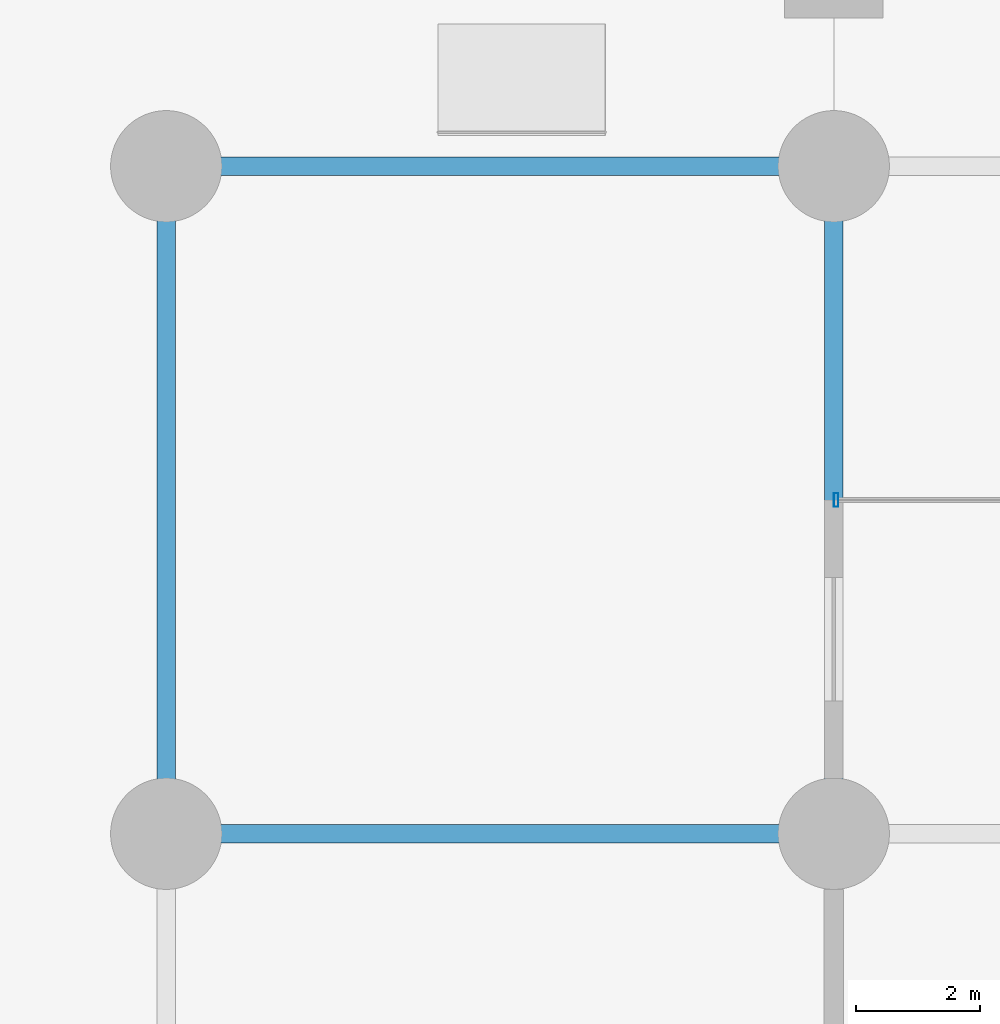
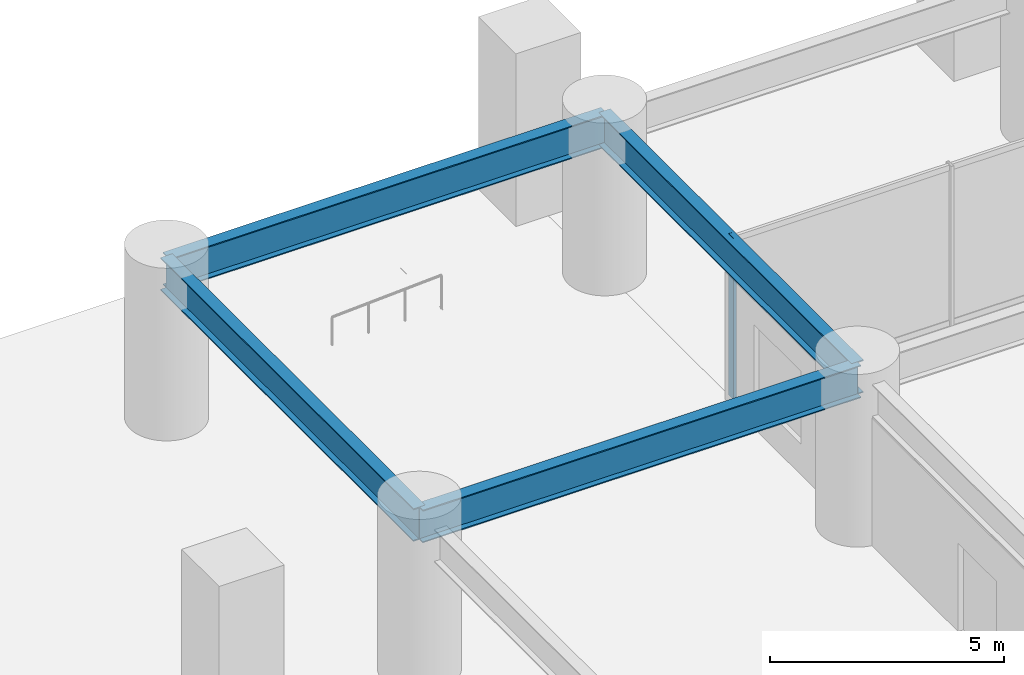
# One storey, part 13 of 29: 4 beams, 1 member, 1 element without a shape of its own.
"""IFC4 building model written with IfcOpenShell, lengths in metres."""

import ifcopenshell
import ifcopenshell.guid

model = None  # the IFC model being written
_history = None  # IfcOwnerHistory: only IFC2X3 demands one
_inside = {}  # id of a spatial element -> (the spatial element, [elements in it])
_under = {}  # id of a project, library or spatial element -> (it, [spatial elements below it])
_declared = {}  # id of a project -> (the project, [libraries it declares])
_typed = {}  # id of a type object -> (the type object, [elements of that type])
_made_of = {}  # id of a material, layer set ... -> (it, [elements and type objects made of it])


def new_model(schema):
    """Start an empty IFC model of exactly this schema.

    Asked for "IFC4X3", IfcOpenShell would pick the latest addendum, in which some entities
    have other attributes; the version numbers below select the first issue.
    IFC2X3 requires an IfcOwnerHistory on every rooted entity: one is made here for all.
    """
    global model, _history
    if schema == "IFC4X3":
        model = ifcopenshell.file(schema_version=(4, 3, 0, 0))
    else:
        model = ifcopenshell.file(schema=schema)
    _inside.clear()
    _under.clear()
    _declared.clear()
    _typed.clear()
    _made_of.clear()
    _history = None
    if model.schema == "IFC2X3":
        org = make("IfcOrganization", Name="unknown")
        user = make(
            "IfcPersonAndOrganization",
            ThePerson=make("IfcPerson", FamilyName="unknown"),
            TheOrganization=org,
        )
        app = make(
            "IfcApplication",
            ApplicationDeveloper=org,
            Version="unknown",
            ApplicationFullName="unknown",
            ApplicationIdentifier="unknown",
        )
        _history = make(
            "IfcOwnerHistory",
            OwningUser=user,
            OwningApplication=app,
            ChangeAction="ADDED",
            CreationDate=0,
        )
    return model


def make(cls, **values):
    """One entity of the class cls with the attributes given. An attribute that is None is left unset."""
    return model.create_entity(
        cls, **{name: value for name, value in values.items() if value is not None}
    )


def rooted(cls, **values):
    """An entity with a GlobalId (a new one), such as an element, a storey or a relation."""
    return make(cls, GlobalId=ifcopenshell.guid.new(), OwnerHistory=_history, **values)


def si_unit(unit_type, name, prefix=None):
    """IfcSIUnit, for example si_unit("LENGTHUNIT", "METRE", prefix="MILLI")."""
    return make("IfcSIUnit", UnitType=unit_type, Prefix=prefix, Name=name)


def assignment(units):
    """IfcUnitAssignment: the units of a project."""
    return None if units is None else make("IfcUnitAssignment", Units=units)


def point(xyz):
    """IfcCartesianPoint."""
    return None if xyz is None else make("IfcCartesianPoint", Coordinates=xyz)


def direction(xyz):
    """IfcDirection."""
    return None if xyz is None else make("IfcDirection", DirectionRatios=xyz)


def frame(location, z_axis=None, x_axis=None):
    """IfcAxis2Placement3D, a coordinate frame: its origin and axes. An axis left out is left unset."""
    return make(
        "IfcAxis2Placement3D",
        Location=point(location),
        Axis=direction(z_axis),
        RefDirection=direction(x_axis),
    )


def frame_2d(location, x_axis=None):
    """IfcAxis2Placement2D, a coordinate frame in the plane: its origin and x axis."""
    return make(
        "IfcAxis2Placement2D", Location=point(location), RefDirection=direction(x_axis)
    )


def origin():
    """The frame at (0, 0, 0) with its axes left unset."""
    return frame((0.0, 0.0, 0.0))


def origin_2d():
    """The frame at (0, 0) in the plane with its x axis left unset."""
    return frame_2d((0.0, 0.0))


def place(relative_to, where):
    """IfcLocalPlacement: puts the frame where relative to a parent placement (None: the world)."""
    return make(
        "IfcLocalPlacement", PlacementRelTo=relative_to, RelativePlacement=where
    )


def context(
    kind, dimensions, precision=None, world=None, true_north=None, identifier=None
):
    """IfcGeometricRepresentationContext, for example the 3D "Model" context."""
    return make(
        "IfcGeometricRepresentationContext",
        ContextIdentifier=identifier,
        ContextType=kind,
        CoordinateSpaceDimension=dimensions,
        Precision=precision,
        WorldCoordinateSystem=world,
        TrueNorth=true_north,
    )


def subcontext(parent, identifier, kind, view, scale=None):
    """IfcGeometricRepresentationSubContext, for example "Body" below "Model"."""
    return make(
        "IfcGeometricRepresentationSubContext",
        ContextIdentifier=identifier,
        ContextType=kind,
        ParentContext=parent,
        TargetScale=scale,
        TargetView=view,
    )


def project(units=None, contexts=None):
    """IfcProject with its units and contexts."""
    return rooted(
        "IfcProject",
        Name="project",
        RepresentationContexts=contexts,
        UnitsInContext=assignment(units),
    )


def spatial(cls, under=None, at=None, **own):
    """A site, building, storey or space (cls), placed at a placement, below another one or the project."""
    s = rooted(cls, ObjectPlacement=at, **own)
    if under is not None:
        _under.setdefault(under.id(), (under, []))[1].append(s)
    return s


def profile(cls, at=None, kind="AREA", **sizes):
    """A parametric profile (cls). Its sizes go by their IFC names, for example OverallWidth=200.0."""
    return make(cls, ProfileType=kind, Position=at, **sizes)


def hollow_rectangle(**sizes):
    """IfcRectangleHollowProfileDef."""
    return profile("IfcRectangleHollowProfileDef", **sizes)


def i_section(**sizes):
    """IfcIShapeProfileDef."""
    return profile("IfcIShapeProfileDef", **sizes)


def extrude(swept, where, along, depth):
    """IfcExtrudedAreaSolid: the profile swept, set in the frame where, extruded along a direction by depth."""
    return make(
        "IfcExtrudedAreaSolid",
        SweptArea=swept,
        Position=where,
        ExtrudedDirection=direction(along),
        Depth=depth,
    )


def shape(context_of_items, identifier, shape_type, items):
    """IfcShapeRepresentation: the items that make up one representation, for example the "Body"."""
    return make(
        "IfcShapeRepresentation",
        ContextOfItems=context_of_items,
        RepresentationIdentifier=identifier,
        RepresentationType=shape_type,
        Items=items,
    )


def material(Name=None, Category=None):
    """IfcMaterial."""
    return make("IfcMaterial", Name=Name, Category=Category)


def layer(
    of_material, thickness, ventilated=None, Name=None, Category=None, Priority=None
):
    """IfcMaterialLayer: one layer of a wall or slab, of a material (None: an air gap)."""
    return make(
        "IfcMaterialLayer",
        Material=of_material,
        LayerThickness=thickness,
        IsVentilated=ventilated,
        Name=Name,
        Category=Category,
        Priority=Priority,
    )


def layer_set(layers, Name=None):
    """IfcMaterialLayerSet."""
    return make("IfcMaterialLayerSet", MaterialLayers=layers, LayerSetName=Name)


def material_profile(
    of_material, cross_section, Name=None, Category=None, Priority=None
):
    """IfcMaterialProfile: a cross section and its material."""
    return make(
        "IfcMaterialProfile",
        Name=Name,
        Material=of_material,
        Profile=cross_section,
        Priority=Priority,
        Category=Category,
    )


def profile_set(profiles, Name=None, composite=None):
    """IfcMaterialProfileSet."""
    return make(
        "IfcMaterialProfileSet",
        Name=Name,
        MaterialProfiles=profiles,
        CompositeProfile=composite,
    )


def made_of(thing, what):
    """Note that an element or type object is made of a material, layer set ...; save() writes the relation."""
    if what is not None:
        _made_of.setdefault(what.id(), (what, []))[1].append(thing)
    return thing


def type_object(cls, material=None, **own):
    """A type object (cls), such as IfcWallType, which elements share."""
    return made_of(rooted(cls, **own), material)


def element(
    cls,
    number,
    at=None,
    inside=None,
    cuts=None,
    type_object=None,
    material=None,
    context=None,
    identifier="Body",
    shape_type=None,
    held_by="IfcProductDefinitionShape",
    body=None,
    shapes=None,
    **own,
):
    """One element of the class cls, such as IfcWall. Its Tag is "e" and its number.

    at: its placement. inside: the storey or other place that contains it. cuts: it is an
    opening in that element (IfcRelVoidsElement). A single representation is given by context,
    identifier, shape_type and body (its items); several are given by shapes. held_by: the class
    of the entity that holds the representations. save() writes the other relations.
    """
    e = rooted(cls, Tag="e%d" % number, ObjectPlacement=at, **own)
    if body is not None:
        shapes = [shape(context, identifier, shape_type, body)]
    if shapes is not None:
        e.Representation = make(held_by, Representations=shapes)
    if inside is not None:
        _inside.setdefault(inside.id(), (inside, []))[1].append(e)
    if cuts is not None:
        rooted(
            "IfcRelVoidsElement", RelatingBuildingElement=cuts, RelatedOpeningElement=e
        )
    if type_object is not None:
        _typed.setdefault(type_object.id(), (type_object, []))[1].append(e)
    return made_of(e, material)


def aggregate(whole, parts):
    """IfcRelAggregates: a whole, such as a stair, and the parts it consists of."""
    return rooted("IfcRelAggregates", RelatingObject=whole, RelatedObjects=parts)


def save(model, path):
    """Write the relations noted so far, then the file.

    IfcRelAggregates (storeys below a building ...), IfcRelContainedInSpatialStructure (elements
    in a storey), IfcRelDefinesByType, IfcRelAssociatesMaterial and IfcRelDeclares: one each for
    every whole, place, type object, material and project.
    """
    for whole, parts in _under.values():
        aggregate(whole, parts)
    for where, things in _inside.values():
        rooted(
            "IfcRelContainedInSpatialStructure",
            RelatedElements=things,
            RelatingStructure=where,
        )
    for kind, things in _typed.values():
        rooted("IfcRelDefinesByType", RelatedObjects=things, RelatingType=kind)
    for what, things in _made_of.values():
        rooted("IfcRelAssociatesMaterial", RelatedObjects=things, RelatingMaterial=what)
    for by, libraries in _declared.values():
        rooted("IfcRelDeclares", RelatingContext=by, RelatedDefinitions=libraries)
    model.write(path)


model = new_model("IFC4")

# Units and contexts
model_context = context("Model", 3, precision=1e-05, world=origin(), true_north=direction((0.0, 1.0)))
body_context = subcontext(model_context, "Body", "Model", "MODEL_VIEW")
ifc_project = project(units=[si_unit("LENGTHUNIT", "METRE"), si_unit("AREAUNIT", "SQUARE_METRE"), si_unit("VOLUMEUNIT", "CUBIC_METRE"), si_unit("PLANEANGLEUNIT", "RADIAN"), si_unit("MASSUNIT", "GRAM", prefix="KILO")], contexts=[model_context])

# Site, building, storey
site_placement = place(None, origin())
site = spatial("IfcSite", under=ifc_project, at=site_placement, CompositionType="ELEMENT")
building_placement = place(site_placement, origin())
building = spatial("IfcBuilding", under=site, at=building_placement, Name="Surkhivell Harbour Commons", CompositionType="ELEMENT")
storey_placement = place(building_placement, origin())
storey = spatial("IfcBuildingStorey", under=building, at=storey_placement, Name="L00", CompositionType="ELEMENT", Elevation=0.0)

# Beams
ifc_material_1 = material(Name="Steel S460", Category="steel")
ifc_material_profile_1 = material_profile(ifc_material_1, i_section(OverallWidth=0.2939453125, OverallDepth=0.85107421875, WebThickness=0.01611328125, FlangeThickness=0.02685546875, at=origin_2d()), Name="UB838x292x226")
ifc_profile_set_1 = profile_set([ifc_material_profile_1], Name="Steel S460")
beam_type = type_object("IfcBeamType", Name="BM-SPN-838", PredefinedType="SPANDREL", material=ifc_profile_set_1)
beam_1_placement = place(storey_placement, frame((-32.39990234375, 10.800048828125, 3.7744140625), z_axis=(0.0, 1.0, 0.0), x_axis=(-1.0, 0.0, 0.0)))
element("IfcBeam", 1, at=beam_1_placement, inside=storey, type_object=beam_type, Name="L00 Framing Beam (-32.4,10.8)", PredefinedType="SPANDREL", context=body_context, shape_type="SweptSolid", body=[
    extrude(i_section(OverallWidth=0.2939453125, OverallDepth=0.85107421875, WebThickness=0.01611328125, FlangeThickness=0.02685546875, at=origin_2d()), origin(), (0.0, 0.0, 1.0), 10.800048828125),
])
for number, where, z_axis, x_axis, name in (
    (2, (-32.39990234375, 10.800048828125, 3.7744140625), (1.0, 0.0, 0.0), (0.0, 1.0, 0.0), "L00 Framing Beam (-32.4,10.8)"),
    (3, (-32.39990234375, 21.60009765625, 3.7744140625), (1.0, 0.0, 0.0), (0.0, 1.0, 0.0), "L00 Framing Beam (-32.4,21.6)"),
):
    element("IfcBeam", number, at=place(storey_placement, frame(where, z_axis=z_axis, x_axis=x_axis)), inside=storey, type_object=beam_type, Name=name, PredefinedType="SPANDREL", context=body_context, shape_type="SweptSolid", body=[
        extrude(i_section(OverallWidth=0.2939453125, OverallDepth=0.85107421875, WebThickness=0.01611328125, FlangeThickness=0.02685546875, at=origin_2d()), origin(), (0.0, 0.0, 1.0), 10.7998046875),
    ])
beam_2_placement = place(storey_placement, frame((-21.60009765625, 10.800048828125, 3.7744140625), z_axis=(0.0, 1.0, 0.0), x_axis=(-1.0, 0.0, 0.0)))
element("IfcBeam", 4, at=beam_2_placement, inside=storey, type_object=beam_type, Name="L00 Framing Beam (-21.6,10.8)", PredefinedType="SPANDREL", context=body_context, shape_type="SweptSolid", body=[
    extrude(i_section(OverallWidth=0.2939453125, OverallDepth=0.85107421875, WebThickness=0.01611328125, FlangeThickness=0.02685546875, at=origin_2d()), origin(), (0.0, 0.0, 1.0), 10.800048828125),
])

# Curtain wall, member
ifc_material_2 = material(Name="Anodised pale-metal aluminium and insulated glazing", Category="aluminium")
ifc_layer = layer(ifc_material_2, 0.239990234375)
ifc_layer_set = layer_set([ifc_layer], Name="Anodised pale-metal aluminium and insulated glazing")
curtain_wall_type = type_object("IfcCurtainWallType", Name="CW-SYS-POD", PredefinedType="NOTDEFINED", material=ifc_layer_set)
curtain_wall_placement = place(storey_placement, origin())
curtain_wall = element("IfcCurtainWall", 5, at=curtain_wall_placement, inside=storey, type_object=curtain_wall_type, Name="L00 Curtain Wall CW-L00-P03", PredefinedType="NOTDEFINED")
ifc_material_3 = material(Name="Anodised pale-metal aluminium alloy 6063-T6", Category="aluminium")
ifc_material_profile_2 = material_profile(ifc_material_3, hollow_rectangle(XDim=0.074951171875, YDim=0.219970703125, WallThickness=0.00390625, at=origin_2d()), Name="ALU-MULL-75x220")
ifc_profile_set_2 = profile_set([ifc_material_profile_2], Name="Anodised pale-metal aluminium alloy 6063-T6")
member_type = type_object("IfcMemberType", Name="CWM-220", PredefinedType="MULLION", material=ifc_profile_set_2)
member_placement = place(storey_placement, frame((-21.5625, 16.199951171875, 0.0), z_axis=(0.0, 0.0, 1.0), x_axis=(1.0, 0.0, 0.0)))
member = element("IfcMember", 6, at=member_placement, type_object=member_type, Name="CW-POD mullion 1", PredefinedType="MULLION", context=body_context, shape_type="SweptSolid", body=[
    extrude(hollow_rectangle(XDim=0.074951171875, YDim=0.219970703125, WallThickness=0.00390625, at=origin_2d()), origin(), (0.0, 0.0, 1.0), 4.199951171875),
])
aggregate(curtain_wall, [member])

save(model, "model.ifc")
